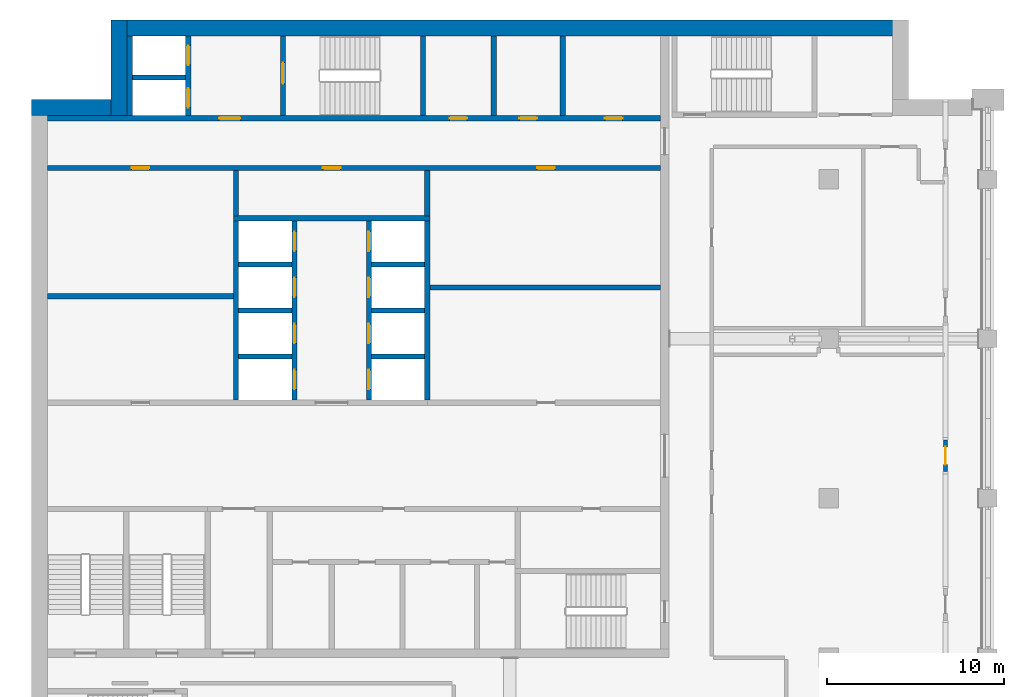
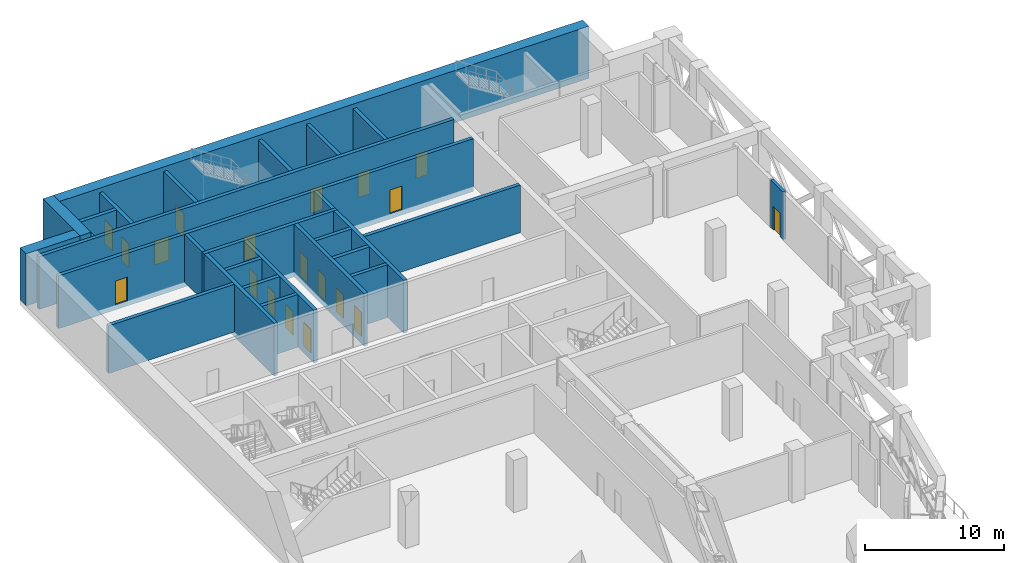
# One storey, part 8 of 16: 28 walls, 19 doors, 19 openings.
"""IFC4 building model written with IfcOpenShell, lengths in metres."""

import ifcopenshell
import ifcopenshell.guid

model = None  # the IFC model being written
_history = None  # IfcOwnerHistory: only IFC2X3 demands one
_inside = {}  # id of a spatial element -> (the spatial element, [elements in it])
_under = {}  # id of a project, library or spatial element -> (it, [spatial elements below it])
_declared = {}  # id of a project -> (the project, [libraries it declares])
_typed = {}  # id of a type object -> (the type object, [elements of that type])
_made_of = {}  # id of a material, layer set ... -> (it, [elements and type objects made of it])


def new_model(schema):
    """Start an empty IFC model of exactly this schema.

    Asked for "IFC4X3", IfcOpenShell would pick the latest addendum, in which some entities
    have other attributes; the version numbers below select the first issue.
    IFC2X3 requires an IfcOwnerHistory on every rooted entity: one is made here for all.
    """
    global model, _history
    if schema == "IFC4X3":
        model = ifcopenshell.file(schema_version=(4, 3, 0, 0))
    else:
        model = ifcopenshell.file(schema=schema)
    _inside.clear()
    _under.clear()
    _declared.clear()
    _typed.clear()
    _made_of.clear()
    _history = None
    if model.schema == "IFC2X3":
        org = make("IfcOrganization", Name="unknown")
        user = make(
            "IfcPersonAndOrganization",
            ThePerson=make("IfcPerson", FamilyName="unknown"),
            TheOrganization=org,
        )
        app = make(
            "IfcApplication",
            ApplicationDeveloper=org,
            Version="unknown",
            ApplicationFullName="unknown",
            ApplicationIdentifier="unknown",
        )
        _history = make(
            "IfcOwnerHistory",
            OwningUser=user,
            OwningApplication=app,
            ChangeAction="ADDED",
            CreationDate=0,
        )
    return model


def make(cls, **values):
    """One entity of the class cls with the attributes given. An attribute that is None is left unset."""
    return model.create_entity(
        cls, **{name: value for name, value in values.items() if value is not None}
    )


def rooted(cls, **values):
    """An entity with a GlobalId (a new one), such as an element, a storey or a relation."""
    return make(cls, GlobalId=ifcopenshell.guid.new(), OwnerHistory=_history, **values)


def si_unit(unit_type, name, prefix=None):
    """IfcSIUnit, for example si_unit("LENGTHUNIT", "METRE", prefix="MILLI")."""
    return make("IfcSIUnit", UnitType=unit_type, Prefix=prefix, Name=name)


def assignment(units):
    """IfcUnitAssignment: the units of a project."""
    return None if units is None else make("IfcUnitAssignment", Units=units)


def point(xyz):
    """IfcCartesianPoint."""
    return None if xyz is None else make("IfcCartesianPoint", Coordinates=xyz)


def direction(xyz):
    """IfcDirection."""
    return None if xyz is None else make("IfcDirection", DirectionRatios=xyz)


def frame(location, z_axis=None, x_axis=None):
    """IfcAxis2Placement3D, a coordinate frame: its origin and axes. An axis left out is left unset."""
    return make(
        "IfcAxis2Placement3D",
        Location=point(location),
        Axis=direction(z_axis),
        RefDirection=direction(x_axis),
    )


def frame_2d(location, x_axis=None):
    """IfcAxis2Placement2D, a coordinate frame in the plane: its origin and x axis."""
    return make(
        "IfcAxis2Placement2D", Location=point(location), RefDirection=direction(x_axis)
    )


def origin():
    """The frame at (0, 0, 0) with its axes left unset."""
    return frame((0.0, 0.0, 0.0))


def place(relative_to, where):
    """IfcLocalPlacement: puts the frame where relative to a parent placement (None: the world)."""
    return make(
        "IfcLocalPlacement", PlacementRelTo=relative_to, RelativePlacement=where
    )


def context(
    kind, dimensions, precision=None, world=None, true_north=None, identifier=None
):
    """IfcGeometricRepresentationContext, for example the 3D "Model" context."""
    return make(
        "IfcGeometricRepresentationContext",
        ContextIdentifier=identifier,
        ContextType=kind,
        CoordinateSpaceDimension=dimensions,
        Precision=precision,
        WorldCoordinateSystem=world,
        TrueNorth=true_north,
    )


def subcontext(parent, identifier, kind, view, scale=None):
    """IfcGeometricRepresentationSubContext, for example "Body" below "Model"."""
    return make(
        "IfcGeometricRepresentationSubContext",
        ContextIdentifier=identifier,
        ContextType=kind,
        ParentContext=parent,
        TargetScale=scale,
        TargetView=view,
    )


def project(units=None, contexts=None):
    """IfcProject with its units and contexts."""
    return rooted(
        "IfcProject",
        Name="project",
        RepresentationContexts=contexts,
        UnitsInContext=assignment(units),
    )


def spatial(cls, under=None, at=None, **own):
    """A site, building, storey or space (cls), placed at a placement, below another one or the project."""
    s = rooted(cls, ObjectPlacement=at, **own)
    if under is not None:
        _under.setdefault(under.id(), (under, []))[1].append(s)
    return s


def profile(cls, at=None, kind="AREA", **sizes):
    """A parametric profile (cls). Its sizes go by their IFC names, for example OverallWidth=200.0."""
    return make(cls, ProfileType=kind, Position=at, **sizes)


def rectangle(**sizes):
    """IfcRectangleProfileDef."""
    return profile("IfcRectangleProfileDef", **sizes)


def extrude(swept, where, along, depth):
    """IfcExtrudedAreaSolid: the profile swept, set in the frame where, extruded along a direction by depth."""
    return make(
        "IfcExtrudedAreaSolid",
        SweptArea=swept,
        Position=where,
        ExtrudedDirection=direction(along),
        Depth=depth,
    )


def shape(context_of_items, identifier, shape_type, items):
    """IfcShapeRepresentation: the items that make up one representation, for example the "Body"."""
    return make(
        "IfcShapeRepresentation",
        ContextOfItems=context_of_items,
        RepresentationIdentifier=identifier,
        RepresentationType=shape_type,
        Items=items,
    )


def material(Name=None, Category=None):
    """IfcMaterial."""
    return make("IfcMaterial", Name=Name, Category=Category)


def layer(
    of_material, thickness, ventilated=None, Name=None, Category=None, Priority=None
):
    """IfcMaterialLayer: one layer of a wall or slab, of a material (None: an air gap)."""
    return make(
        "IfcMaterialLayer",
        Material=of_material,
        LayerThickness=thickness,
        IsVentilated=ventilated,
        Name=Name,
        Category=Category,
        Priority=Priority,
    )


def layer_set(layers, Name=None):
    """IfcMaterialLayerSet."""
    return make("IfcMaterialLayerSet", MaterialLayers=layers, LayerSetName=Name)


def made_of(thing, what):
    """Note that an element or type object is made of a material, layer set ...; save() writes the relation."""
    if what is not None:
        _made_of.setdefault(what.id(), (what, []))[1].append(thing)
    return thing


def type_object(cls, material=None, **own):
    """A type object (cls), such as IfcWallType, which elements share."""
    return made_of(rooted(cls, **own), material)


def element(
    cls,
    number,
    at=None,
    inside=None,
    cuts=None,
    type_object=None,
    material=None,
    context=None,
    identifier="Body",
    shape_type=None,
    held_by="IfcProductDefinitionShape",
    body=None,
    shapes=None,
    **own,
):
    """One element of the class cls, such as IfcWall. Its Tag is "e" and its number.

    at: its placement. inside: the storey or other place that contains it. cuts: it is an
    opening in that element (IfcRelVoidsElement). A single representation is given by context,
    identifier, shape_type and body (its items); several are given by shapes. held_by: the class
    of the entity that holds the representations. save() writes the other relations.
    """
    e = rooted(cls, Tag="e%d" % number, ObjectPlacement=at, **own)
    if body is not None:
        shapes = [shape(context, identifier, shape_type, body)]
    if shapes is not None:
        e.Representation = make(held_by, Representations=shapes)
    if inside is not None:
        _inside.setdefault(inside.id(), (inside, []))[1].append(e)
    if cuts is not None:
        rooted(
            "IfcRelVoidsElement", RelatingBuildingElement=cuts, RelatedOpeningElement=e
        )
    if type_object is not None:
        _typed.setdefault(type_object.id(), (type_object, []))[1].append(e)
    return made_of(e, material)


def fill(opening, filler):
    """IfcRelFillsElement: the door or window that sits in an opening."""
    return rooted(
        "IfcRelFillsElement",
        RelatingOpeningElement=opening,
        RelatedBuildingElement=filler,
    )


def aggregate(whole, parts):
    """IfcRelAggregates: a whole, such as a stair, and the parts it consists of."""
    return rooted("IfcRelAggregates", RelatingObject=whole, RelatedObjects=parts)


def save(model, path):
    """Write the relations noted so far, then the file.

    IfcRelAggregates (storeys below a building ...), IfcRelContainedInSpatialStructure (elements
    in a storey), IfcRelDefinesByType, IfcRelAssociatesMaterial and IfcRelDeclares: one each for
    every whole, place, type object, material and project.
    """
    for whole, parts in _under.values():
        aggregate(whole, parts)
    for where, things in _inside.values():
        rooted(
            "IfcRelContainedInSpatialStructure",
            RelatedElements=things,
            RelatingStructure=where,
        )
    for kind, things in _typed.values():
        rooted("IfcRelDefinesByType", RelatedObjects=things, RelatingType=kind)
    for what, things in _made_of.values():
        rooted("IfcRelAssociatesMaterial", RelatedObjects=things, RelatingMaterial=what)
    for by, libraries in _declared.values():
        rooted("IfcRelDeclares", RelatingContext=by, RelatedDefinitions=libraries)
    model.write(path)


model = new_model("IFC4")

# Units and contexts
model_context = context("Model", 3, precision=1e-05, world=origin(), true_north=direction((0.0, 1.0)))
body_context = subcontext(model_context, "Body", "Model", "MODEL_VIEW")
ifc_project = project(units=[si_unit("LENGTHUNIT", "METRE"), si_unit("AREAUNIT", "SQUARE_METRE"), si_unit("VOLUMEUNIT", "CUBIC_METRE"), si_unit("PLANEANGLEUNIT", "RADIAN"), si_unit("MASSUNIT", "GRAM", prefix="KILO")], contexts=[model_context])

# Site, building, storey
site_placement = place(None, origin())
site = spatial("IfcSite", under=ifc_project, at=site_placement, CompositionType="ELEMENT")
building_placement = place(site_placement, origin())
building = spatial("IfcBuilding", under=site, at=building_placement, Name="Hunhe Ridgeline Campus", CompositionType="ELEMENT")
storey_placement = place(building_placement, frame((0.0, 0.0, 227.199951171875)))
storey = spatial("IfcBuildingStorey", under=building, at=storey_placement, Name="L58", CompositionType="ELEMENT", Elevation=227.199951171875)

# Walls
ifc_material_1 = material(Name="Masonry concrete blockwork", Category="masonry")
ifc_layer_1 = layer(ifc_material_1, 0.300048828125)
ifc_layer_set_1 = layer_set([ifc_layer_1], Name="Core room partition 300 concrete block")
wall_type_1 = type_object("IfcWallType", Name="Core room partition 300 concrete block", PredefinedType="PARTITIONING", material=ifc_layer_set_1)
wall_1_placement = place(storey_placement, frame((0.89990234375, 83.39990234375, 0.0), z_axis=(0.0, 0.0, 1.0), x_axis=(1.0, 0.0, 0.0)))
element("IfcWall", 1, at=wall_1_placement, inside=storey, type_object=wall_type_1, Name="L58 core partition 17", PredefinedType="PARTITIONING", context=body_context, shape_type="SweptSolid", body=[
    extrude(rectangle(XDim=10.5, YDim=0.300048828125, at=frame_2d((5.25, 0.0))), origin(), (0.0, 0.0, 1.0), 4.199951171875),
])
wall_2_placement = place(storey_placement, frame((22.5, 83.89990234375, 0.0), z_axis=(0.0, 0.0, 1.0), x_axis=(1.0, 0.0, 0.0)))
element("IfcWall", 2, at=wall_2_placement, inside=storey, type_object=wall_type_1, Name="L58 core partition 18", PredefinedType="PARTITIONING", context=body_context, shape_type="SweptSolid", body=[
    extrude(rectangle(XDim=13.0, YDim=0.300048828125, at=frame_2d((6.5, 0.0))), origin(), (0.0, 0.0, 1.0), 4.199951171875),
])
for number, where, z_axis, x_axis, name in (
    (3, (11.550048828125, 87.949951171875, 0.0), (0.0, 0.0, 1.0), (0.0, 1.0, 0.0), "L58 core partition 32"),
    (4, (22.35009765625, 87.949951171875, 0.0), (0.0, 0.0, 1.0), (0.0, 1.0, 0.0), "L58 core partition 42"),
):
    element("IfcWall", number, at=place(storey_placement, frame(where, z_axis=z_axis, x_axis=x_axis)), inside=storey, type_object=wall_type_1, Name=name, PredefinedType="PARTITIONING", context=body_context, shape_type="SweptSolid", body=[
        extrude(rectangle(XDim=2.550048828125, YDim=0.300048828125, at=frame_2d((1.27490234375, 0.0))), origin(), (0.0, 0.0, 1.0), 4.199951171875),
    ])
for number, where, z_axis, x_axis, name in (
    (5, (26.10009765625, 93.60009765625, 0.0), (0.0, 0.0, 1.0), (0.0, 1.0, 0.0), "L58 core partition 45"),
    (6, (30.0, 93.60009765625, 0.0), (0.0, 0.0, 1.0), (0.0, 1.0, 0.0), "L58 core partition 48"),
):
    element("IfcWall", number, at=place(storey_placement, frame(where, z_axis=z_axis, x_axis=x_axis)), inside=storey, type_object=wall_type_1, Name=name, PredefinedType="PARTITIONING", context=body_context, shape_type="SweptSolid", body=[
        extrude(rectangle(XDim=4.5, YDim=0.300048828125, at=frame_2d((2.25, 0.0))), origin(), (0.0, 0.0, 1.0), 4.199951171875),
    ])

# Wall, openings, doors
ifc_material_2 = material(Name="Concrete C50", Category="concrete")
ifc_layer_2 = layer(ifc_material_2, 0.300048828125)
ifc_layer_set_2 = layer_set([ifc_layer_2], Name="Lobby wall 300 reinforced concrete C50")
wall_type_2 = type_object("IfcWallType", Name="Lobby wall 300 reinforced concrete C50", PredefinedType="SOLIDWALL", material=ifc_layer_set_2)
wall_3_placement = place(storey_placement, frame((0.89990234375, 90.64990234375, -0.449951171875), z_axis=(0.0, 0.0, 1.0), x_axis=(1.0, 0.0, 0.0)))
wall_3 = element("IfcWall", 7, at=wall_3_placement, inside=storey, type_object=wall_type_2, Name="L58 core wall 22", PredefinedType="SOLIDWALL", context=body_context, shape_type="SweptSolid", body=[
    extrude(rectangle(XDim=34.60009765625, YDim=0.300048828125, at=frame_2d((17.300048828125, 0.0))), origin(), (0.0, 0.0, 1.0), 4.64990234375),
])
opening_1_placement = place(wall_3_placement, frame((15.550048828125, 0.0, 0.449951171875)))
opening_1 = element("IfcOpeningElement", 8, at=opening_1_placement, cuts=wall_3, Name="Opening CD26", PredefinedType="OPENING", context=body_context, shape_type="SweptSolid", body=[
    extrude(rectangle(XDim=1.0, YDim=2.10009765625, at=frame_2d((0.5, 1.050048828125))), frame((0.0, 0.14990234375, 0.0), z_axis=(0.0, -1.0, 0.0), x_axis=(1.0, 0.0, 0.0)), (0.0, 0.0, 1.0), 0.300048828125),
])
opening_2_placement = place(wall_3_placement, frame((4.75, 0.0, 0.449951171875)))
opening_2 = element("IfcOpeningElement", 9, at=opening_2_placement, cuts=wall_3, Name="Opening CD40", PredefinedType="OPENING", context=body_context, shape_type="SweptSolid", body=[
    extrude(rectangle(XDim=1.0, YDim=2.10009765625, at=frame_2d((0.5, 1.050048828125))), frame((0.0, 0.14990234375, 0.0), z_axis=(0.0, -1.0, 0.0), x_axis=(1.0, 0.0, 0.0)), (0.0, 0.0, 1.0), 0.300048828125),
])
opening_3_placement = place(wall_3_placement, frame((27.64990234375, 0.0, 0.449951171875)))
opening_3 = element("IfcOpeningElement", 10, at=opening_3_placement, cuts=wall_3, Name="Opening CD33", PredefinedType="OPENING", context=body_context, shape_type="SweptSolid", body=[
    extrude(rectangle(XDim=1.0, YDim=2.10009765625, at=frame_2d((0.5, 1.050048828125))), frame((0.0, 0.14990234375, 0.0), z_axis=(0.0, -1.0, 0.0), x_axis=(1.0, 0.0, 0.0)), (0.0, 0.0, 1.0), 0.300048828125),
])
ifc_material_3 = material(Name="Solid core timber door leaf", Category="wood")
door_type_1 = type_object("IfcDoorType", Name="Timber door 1000x2100", OperationType="SINGLE_SWING_LEFT", PredefinedType="DOOR", material=ifc_material_3)
door_1_placement = place(opening_1_placement, frame((1.0, 0.0, 0.0), z_axis=(0.0, 0.0, 1.0), x_axis=(-1.0, 0.0, 0.0)))
door_1 = element("IfcDoor", 11, at=door_1_placement, inside=storey, type_object=door_type_1, Name="L58 door NR-0", OperationType="SINGLE_SWING_LEFT", OverallHeight=2.10009765625, OverallWidth=1.0, PredefinedType="DOOR", context=body_context, shape_type="SweptSolid", body=[
    extrude(rectangle(XDim=1.0, YDim=2.10009765625, at=frame_2d((0.5, 1.050048828125))), frame((0.0, 0.02490234375, 0.0), z_axis=(0.0, -1.0, 0.0), x_axis=(1.0, 0.0, 0.0)), (0.0, 0.0, 1.0), 0.050048828125),
])
fill(opening_1, door_1)
door_2_placement = place(opening_2_placement, frame((1.0, 0.0, 0.0), z_axis=(0.0, 0.0, 1.0), x_axis=(-1.0, 0.0, 0.0)))
door_2 = element("IfcDoor", 12, at=door_2_placement, inside=storey, type_object=door_type_1, Name="L58 door VD-LR1", OperationType="SINGLE_SWING_LEFT", OverallHeight=2.10009765625, OverallWidth=1.0, PredefinedType="DOOR", context=body_context, shape_type="SweptSolid", body=[
    extrude(rectangle(XDim=1.0, YDim=2.10009765625, at=frame_2d((0.5, 1.050048828125))), frame((0.0, 0.02490234375, 0.0), z_axis=(0.0, -1.0, 0.0), x_axis=(1.0, 0.0, 0.0)), (0.0, 0.0, 1.0), 0.050048828125),
])
fill(opening_2, door_2)
door_3_placement = place(opening_3_placement, frame((1.0, 0.0, 0.0), z_axis=(0.0, 0.0, 1.0), x_axis=(-1.0, 0.0, 0.0)))
door_3 = element("IfcDoor", 13, at=door_3_placement, inside=storey, type_object=door_type_1, Name="L58 door ES1", OperationType="SINGLE_SWING_RIGHT", OverallHeight=2.10009765625, OverallWidth=1.0, PredefinedType="DOOR", context=body_context, shape_type="SweptSolid", body=[
    extrude(rectangle(XDim=1.0, YDim=2.10009765625, at=frame_2d((0.5, 1.050048828125))), frame((0.0, 0.02490234375, 0.0), z_axis=(0.0, -1.0, 0.0), x_axis=(1.0, 0.0, 0.0)), (0.0, 0.0, 1.0), 0.050048828125),
])
fill(opening_3, door_3)

# Wall, opening, door
ifc_material_4 = material(Name="Concrete C30", Category="concrete")
ifc_layer_3 = layer(ifc_material_4, 0.25)
ifc_layer_set_3 = layer_set([ifc_layer_3], Name="Loggia door pier wall 250 Concrete C30")
wall_type_3 = type_object("IfcWallType", Name="Loggia door pier wall 250 Concrete C30", PredefinedType="SOLIDWALL", material=ifc_layer_set_3)
wall_4_placement = place(storey_placement, frame((51.59912109375, 73.500732421875, 0.0), z_axis=(0.0, 0.0, 1.0), x_axis=(0.0, 1.0, 0.0)))
wall_4 = element("IfcWall", 14, at=wall_4_placement, inside=storey, type_object=wall_type_3, Name="Loggia door pier 11", PredefinedType="SOLIDWALL", context=body_context, shape_type="SweptSolid", body=[
    extrude(rectangle(XDim=1.7998046875, YDim=0.25, at=frame_2d((0.89990234375, 0.0))), origin(), (0.0, 0.0, 1.0), 4.199951171875),
])
opening_4_placement = place(wall_4_placement, frame((0.39990234375, 0.0, 0.0)))
opening_4 = element("IfcOpeningElement", 15, at=opening_4_placement, cuts=wall_4, Name="Opening BR511", PredefinedType="OPENING", context=body_context, shape_type="SweptSolid", body=[
    extrude(rectangle(XDim=1.0, YDim=2.10009765625, at=frame_2d((0.5, 1.050048828125))), frame((0.0, 0.125, 0.0), z_axis=(0.0, -1.0, 0.0), x_axis=(1.0, 0.0, 0.0)), (0.0, 0.0, 1.0), 0.25),
])
ifc_material_5 = material(Name="Aluminium 6063", Category="aluminium")
door_type_2 = type_object("IfcDoorType", Name="Loggia glazed door 1000x2100", OperationType="NOTDEFINED", PredefinedType="DOOR", material=ifc_material_5)
door_4_placement = place(opening_4_placement, frame((1.0, 0.0, 0.0), z_axis=(0.0, 0.0, 1.0), x_axis=(-1.0, 0.0, 0.0)))
door_4 = element("IfcDoor", 16, at=door_4_placement, inside=storey, type_object=door_type_2, Name="Loggia door BR511", OperationType="SINGLE_SWING_RIGHT", OverallHeight=2.10009765625, OverallWidth=1.0, PredefinedType="DOOR", context=body_context, shape_type="SweptSolid", body=[
    extrude(rectangle(XDim=1.0, YDim=2.10009765625, at=frame_2d((0.5, 1.050048828125))), frame((0.0, 0.02490234375, 0.0), z_axis=(0.0, -1.0, 0.0), x_axis=(1.0, 0.0, 0.0)), (0.0, 0.0, 1.0), 0.050048828125),
])
fill(opening_4, door_4)

# Walls
ifc_layer_4 = layer(ifc_material_2, 0.300048828125)
ifc_layer_set_4 = layer_set([ifc_layer_4], Name="Shaft wall 300 reinforced concrete C50")
wall_type_4 = type_object("IfcWallType", Name="Shaft wall 300 reinforced concrete C50", PredefinedType="SOLIDWALL", material=ifc_layer_set_4)
for number, where, z_axis, x_axis, name in (
    (17, (11.699951171875, 80.0, -0.449951171875), (0.0, 0.0, 1.0), (1.0, 0.0, 0.0), "L58 core wall 13"),
    (18, (19.199951171875, 80.0, -0.449951171875), (0.0, 0.0, 1.0), (1.0, 0.0, 0.0), "L58 core wall 14"),
    (19, (11.699951171875, 82.60009765625, -0.449951171875), (0.0, 0.0, 1.0), (1.0, 0.0, 0.0), "L58 core wall 15"),
    (20, (19.199951171875, 82.60009765625, -0.449951171875), (0.0, 0.0, 1.0), (1.0, 0.0, 0.0), "L58 core wall 16"),
    (21, (11.699951171875, 85.199951171875, -0.449951171875), (0.0, 0.0, 1.0), (1.0, 0.0, 0.0), "L58 core wall 19"),
    (22, (19.199951171875, 85.199951171875, -0.449951171875), (0.0, 0.0, 1.0), (1.0, 0.0, 0.0), "L58 core wall 20"),
):
    element("IfcWall", number, at=place(storey_placement, frame(where, z_axis=z_axis, x_axis=x_axis)), inside=storey, type_object=wall_type_4, Name=name, PredefinedType="SOLIDWALL", context=body_context, shape_type="SweptSolid", body=[
        extrude(rectangle(XDim=3.0, YDim=0.300048828125, at=frame_2d((1.5, 0.0))), origin(), (0.0, 0.0, 1.0), 4.64990234375),
    ])
wall_5_placement = place(storey_placement, frame((11.39990234375, 87.800048828125, -0.449951171875), z_axis=(0.0, 0.0, 1.0), x_axis=(1.0, 0.0, 0.0)))
element("IfcWall", 23, at=wall_5_placement, inside=storey, type_object=wall_type_4, Name="L58 core wall 21", PredefinedType="SOLIDWALL", context=body_context, shape_type="SweptSolid", body=[
    extrude(rectangle(XDim=11.10009765625, YDim=0.300048828125, at=frame_2d((5.550048828125, 0.0))), origin(), (0.0, 0.0, 1.0), 4.64990234375),
])

# Wall, openings, doors
wall_6_placement = place(storey_placement, frame((0.89990234375, 93.449951171875, -0.449951171875), z_axis=(0.0, 0.0, 1.0), x_axis=(1.0, 0.0, 0.0)))
wall_6 = element("IfcWall", 24, at=wall_6_placement, inside=storey, type_object=wall_type_4, Name="L58 core wall 23", PredefinedType="SOLIDWALL", context=body_context, shape_type="SweptSolid", body=[
    extrude(rectangle(XDim=34.60009765625, YDim=0.300048828125, at=frame_2d((17.300048828125, 0.0))), origin(), (0.0, 0.0, 1.0), 4.64990234375),
])
opening_5_placement = place(wall_6_placement, frame((9.699951171875, 0.0, 0.449951171875)))
opening_5 = element("IfcOpeningElement", 25, at=opening_5_placement, cuts=wall_6, Name="Opening CD3", PredefinedType="OPENING", context=body_context, shape_type="SweptSolid", body=[
    extrude(rectangle(XDim=1.199951171875, YDim=2.10009765625, at=frame_2d((0.60009765625, 1.050048828125))), frame((0.0, 0.14990234375, 0.0), z_axis=(0.0, -1.0, 0.0), x_axis=(1.0, 0.0, 0.0)), (0.0, 0.0, 1.0), 0.300048828125),
])
opening_6_placement = place(wall_6_placement, frame((22.699951171875, 0.0, 0.449951171875)))
opening_6 = element("IfcOpeningElement", 26, at=opening_6_placement, cuts=wall_6, Name="Opening CD34", PredefinedType="OPENING", context=body_context, shape_type="SweptSolid", body=[
    extrude(rectangle(XDim=1.0, YDim=2.10009765625, at=frame_2d((0.5, 1.050048828125))), frame((0.0, 0.14990234375, 0.0), z_axis=(0.0, -1.0, 0.0), x_axis=(1.0, 0.0, 0.0)), (0.0, 0.0, 1.0), 0.300048828125),
])
opening_7_placement = place(wall_6_placement, frame((26.64990234375, 0.0, 0.449951171875)))
opening_7 = element("IfcOpeningElement", 27, at=opening_7_placement, cuts=wall_6, Name="Opening CD35", PredefinedType="OPENING", context=body_context, shape_type="SweptSolid", body=[
    extrude(rectangle(XDim=1.0, YDim=2.10009765625, at=frame_2d((0.5, 1.050048828125))), frame((0.0, 0.14990234375, 0.0), z_axis=(0.0, -1.0, 0.0), x_axis=(1.0, 0.0, 0.0)), (0.0, 0.0, 1.0), 0.300048828125),
])
opening_8_placement = place(wall_6_placement, frame((31.47509765625, 0.0, 0.449951171875)))
opening_8 = element("IfcOpeningElement", 28, at=opening_8_placement, cuts=wall_6, Name="Opening CD36", PredefinedType="OPENING", context=body_context, shape_type="SweptSolid", body=[
    extrude(rectangle(XDim=1.0, YDim=2.10009765625, at=frame_2d((0.5, 1.050048828125))), frame((0.0, 0.14990234375, 0.0), z_axis=(0.0, -1.0, 0.0), x_axis=(1.0, 0.0, 0.0)), (0.0, 0.0, 1.0), 0.300048828125),
])
ifc_material_6 = material(Name="Hollow metal fire door leaf")
door_type_3 = type_object("IfcDoorType", Name="Lobby door 1200x2100 FD60", OperationType="SINGLE_SWING_LEFT", PredefinedType="DOOR", material=ifc_material_6)
door_5_placement = place(opening_5_placement, frame((1.199951171875, 0.0, 0.0), z_axis=(0.0, 0.0, 1.0), x_axis=(-1.0, 0.0, 0.0)))
door_5 = element("IfcDoor", 29, at=door_5_placement, inside=storey, type_object=door_type_3, Name="L58 door FF-C1", OperationType="SINGLE_SWING_RIGHT", OverallHeight=2.10009765625, OverallWidth=1.199951171875, PredefinedType="DOOR", context=body_context, shape_type="SweptSolid", body=[
    extrude(rectangle(XDim=1.199951171875, YDim=2.10009765625, at=frame_2d((0.60009765625, 1.050048828125))), frame((0.0, 0.02490234375, 0.0), z_axis=(0.0, -1.0, 0.0), x_axis=(1.0, 0.0, 0.0)), (0.0, 0.0, 1.0), 0.050048828125),
])
fill(opening_5, door_5)
door_6_placement = place(opening_6_placement, origin())
door_6 = element("IfcDoor", 30, at=door_6_placement, inside=storey, type_object=door_type_1, Name="L58 door NB0", OperationType="SINGLE_SWING_RIGHT", OverallHeight=2.10009765625, OverallWidth=1.0, PredefinedType="DOOR", context=body_context, shape_type="SweptSolid", body=[
    extrude(rectangle(XDim=1.0, YDim=2.10009765625, at=frame_2d((0.5, 1.050048828125))), frame((0.0, 0.02490234375, 0.0), z_axis=(0.0, -1.0, 0.0), x_axis=(1.0, 0.0, 0.0)), (0.0, 0.0, 1.0), 0.050048828125),
])
fill(opening_6, door_6)
door_7_placement = place(opening_7_placement, origin())
door_7 = element("IfcDoor", 31, at=door_7_placement, inside=storey, type_object=door_type_1, Name="L58 door NB1", OperationType="SINGLE_SWING_LEFT", OverallHeight=2.10009765625, OverallWidth=1.0, PredefinedType="DOOR", context=body_context, shape_type="SweptSolid", body=[
    extrude(rectangle(XDim=1.0, YDim=2.10009765625, at=frame_2d((0.5, 1.050048828125))), frame((0.0, 0.02490234375, 0.0), z_axis=(0.0, -1.0, 0.0), x_axis=(1.0, 0.0, 0.0)), (0.0, 0.0, 1.0), 0.050048828125),
])
fill(opening_7, door_7)
door_8_placement = place(opening_8_placement, origin())
door_8 = element("IfcDoor", 32, at=door_8_placement, inside=storey, type_object=door_type_1, Name="L58 door NB2", OperationType="SINGLE_SWING_RIGHT", OverallHeight=2.10009765625, OverallWidth=1.0, PredefinedType="DOOR", context=body_context, shape_type="SweptSolid", body=[
    extrude(rectangle(XDim=1.0, YDim=2.10009765625, at=frame_2d((0.5, 1.050048828125))), frame((0.0, 0.02490234375, 0.0), z_axis=(0.0, -1.0, 0.0), x_axis=(1.0, 0.0, 0.0)), (0.0, 0.0, 1.0), 0.050048828125),
])
fill(opening_8, door_8)

# Walls
wall_7_placement = place(storey_placement, frame((5.699951171875, 95.75, -0.449951171875), z_axis=(0.0, 0.0, 1.0), x_axis=(1.0, 0.0, 0.0)))
element("IfcWall", 33, at=wall_7_placement, inside=storey, type_object=wall_type_4, Name="L58 core wall 25", PredefinedType="SOLIDWALL", context=body_context, shape_type="SweptSolid", body=[
    extrude(rectangle(XDim=3.0, YDim=0.300048828125, at=frame_2d((1.5, 0.0))), origin(), (0.0, 0.0, 1.0), 4.64990234375),
])
wall_8_placement = place(storey_placement, frame((5.550048828125, 93.60009765625, -0.449951171875), z_axis=(0.0, 0.0, 1.0), x_axis=(0.0, 1.0, 0.0)))
element("IfcWall", 34, at=wall_8_placement, inside=storey, type_object=wall_type_4, Name="L58 core wall 27", PredefinedType="SOLIDWALL", context=body_context, shape_type="SweptSolid", body=[
    extrude(rectangle(XDim=4.5, YDim=0.300048828125, at=frame_2d((2.25, 0.0))), origin(), (0.0, 0.0, 1.0), 4.64990234375),
])

# Wall, openings, doors
wall_9_placement = place(storey_placement, frame((8.85009765625, 93.60009765625, -0.449951171875), z_axis=(0.0, 0.0, 1.0), x_axis=(0.0, 1.0, 0.0)))
wall_9 = element("IfcWall", 35, at=wall_9_placement, inside=storey, type_object=wall_type_4, Name="L58 core wall 29", PredefinedType="SOLIDWALL", context=body_context, shape_type="SweptSolid", body=[
    extrude(rectangle(XDim=4.5, YDim=0.300048828125, at=frame_2d((2.25, 0.0))), origin(), (0.0, 0.0, 1.0), 4.64990234375),
])
opening_9_placement = place(wall_9_placement, frame((0.449951171875, 0.0, 0.449951171875)))
opening_9 = element("IfcOpeningElement", 36, at=opening_9_placement, cuts=wall_9, Name="Opening LD-FF1", PredefinedType="OPENING", context=body_context, shape_type="SweptSolid", body=[
    extrude(rectangle(XDim=1.10009765625, YDim=2.10009765625, at=frame_2d((0.550048828125, 1.050048828125))), frame((0.0, 0.14990234375, 0.0), z_axis=(0.0, -1.0, 0.0), x_axis=(1.0, 0.0, 0.0)), (0.0, 0.0, 1.0), 0.300048828125),
])
opening_10_placement = place(wall_9_placement, frame((2.85009765625, 0.0, 0.449951171875)))
opening_10 = element("IfcOpeningElement", 37, at=opening_10_placement, cuts=wall_9, Name="Opening LD-FF2", PredefinedType="OPENING", context=body_context, shape_type="SweptSolid", body=[
    extrude(rectangle(XDim=1.10009765625, YDim=2.10009765625, at=frame_2d((0.550048828125, 1.050048828125))), frame((0.0, 0.14990234375, 0.0), z_axis=(0.0, -1.0, 0.0), x_axis=(1.0, 0.0, 0.0)), (0.0, 0.0, 1.0), 0.300048828125),
])
ifc_material_7 = material(Name="Stainless steel sliding leaves", Category="steel")
door_type_4 = type_object("IfcDoorType", Name="Landing door 1100x2100 FD120", OperationType="SLIDING_TO_LEFT", PredefinedType="DOOR", material=ifc_material_7)
door_9_placement = place(opening_9_placement, origin())
door_9 = element("IfcDoor", 38, at=door_9_placement, inside=storey, type_object=door_type_4, Name="L58 landing door FF1", OperationType="SLIDING_TO_RIGHT", OverallHeight=2.10009765625, OverallWidth=1.10009765625, PredefinedType="DOOR", context=body_context, shape_type="SweptSolid", body=[
    extrude(rectangle(XDim=1.10009765625, YDim=2.10009765625, at=frame_2d((0.550048828125, 1.050048828125))), frame((0.0, 0.02490234375, 0.0), z_axis=(0.0, -1.0, 0.0), x_axis=(1.0, 0.0, 0.0)), (0.0, 0.0, 1.0), 0.050048828125),
])
fill(opening_9, door_9)
door_10_placement = place(opening_10_placement, origin())
door_10 = element("IfcDoor", 39, at=door_10_placement, inside=storey, type_object=door_type_4, Name="L58 landing door FF2", OperationType="SLIDING_TO_LEFT", OverallHeight=2.10009765625, OverallWidth=1.10009765625, PredefinedType="DOOR", context=body_context, shape_type="SweptSolid", body=[
    extrude(rectangle(XDim=1.10009765625, YDim=2.10009765625, at=frame_2d((0.550048828125, 1.050048828125))), frame((0.0, 0.02490234375, 0.0), z_axis=(0.0, -1.0, 0.0), x_axis=(1.0, 0.0, 0.0)), (0.0, 0.0, 1.0), 0.050048828125),
])
fill(opening_10, door_10)

# Wall
wall_10_placement = place(storey_placement, frame((11.550048828125, 77.550048828125, -0.449951171875), z_axis=(0.0, 0.0, 1.0), x_axis=(0.0, 1.0, 0.0)))
element("IfcWall", 40, at=wall_10_placement, inside=storey, type_object=wall_type_4, Name="L58 core wall 31", PredefinedType="SOLIDWALL", context=body_context, shape_type="SweptSolid", body=[
    extrude(rectangle(XDim=10.099853515625, YDim=0.300048828125, at=frame_2d((5.0498046875, 0.0))), origin(), (0.0, 0.0, 1.0), 4.64990234375),
])

# Wall, openings, doors
wall_11_placement = place(storey_placement, frame((14.85009765625, 77.550048828125, -0.449951171875), z_axis=(0.0, 0.0, 1.0), x_axis=(0.0, 1.0, 0.0)))
wall_11 = element("IfcWall", 41, at=wall_11_placement, inside=storey, type_object=wall_type_4, Name="L58 core wall 35", PredefinedType="SOLIDWALL", context=body_context, shape_type="SweptSolid", body=[
    extrude(rectangle(XDim=10.099853515625, YDim=0.300048828125, at=frame_2d((5.0498046875, 0.0))), origin(), (0.0, 0.0, 1.0), 4.64990234375),
])
opening_11_placement = place(wall_11_placement, frame((0.60009765625, 0.0, 0.449951171875)))
opening_11 = element("IfcOpeningElement", 42, at=opening_11_placement, cuts=wall_11, Name="Opening LD-HR1", PredefinedType="OPENING", context=body_context, shape_type="SweptSolid", body=[
    extrude(rectangle(XDim=1.10009765625, YDim=2.10009765625, at=frame_2d((0.550048828125, 1.050048828125))), frame((0.0, 0.14990234375, 0.0), z_axis=(0.0, -1.0, 0.0), x_axis=(1.0, 0.0, 0.0)), (0.0, 0.0, 1.0), 0.300048828125),
])
opening_12_placement = place(wall_11_placement, frame((3.199951171875, 0.0, 0.449951171875)))
opening_12 = element("IfcOpeningElement", 43, at=opening_12_placement, cuts=wall_11, Name="Opening LD-HR2", PredefinedType="OPENING", context=body_context, shape_type="SweptSolid", body=[
    extrude(rectangle(XDim=1.10009765625, YDim=2.10009765625, at=frame_2d((0.550048828125, 1.050048828125))), frame((0.0, 0.14990234375, 0.0), z_axis=(0.0, -1.0, 0.0), x_axis=(1.0, 0.0, 0.0)), (0.0, 0.0, 1.0), 0.300048828125),
])
opening_13_placement = place(wall_11_placement, frame((5.800048828125, 0.0, 0.449951171875)))
opening_13 = element("IfcOpeningElement", 44, at=opening_13_placement, cuts=wall_11, Name="Opening LD-HR3", PredefinedType="OPENING", context=body_context, shape_type="SweptSolid", body=[
    extrude(rectangle(XDim=1.10009765625, YDim=2.10009765625, at=frame_2d((0.550048828125, 1.050048828125))), frame((0.0, 0.14990234375, 0.0), z_axis=(0.0, -1.0, 0.0), x_axis=(1.0, 0.0, 0.0)), (0.0, 0.0, 1.0), 0.300048828125),
])
opening_14_placement = place(wall_11_placement, frame((8.39990234375, 0.0, 0.449951171875)))
opening_14 = element("IfcOpeningElement", 45, at=opening_14_placement, cuts=wall_11, Name="Opening LD-HR4", PredefinedType="OPENING", context=body_context, shape_type="SweptSolid", body=[
    extrude(rectangle(XDim=1.10009765625, YDim=2.10009765625, at=frame_2d((0.550048828125, 1.050048828125))), frame((0.0, 0.14990234375, 0.0), z_axis=(0.0, -1.0, 0.0), x_axis=(1.0, 0.0, 0.0)), (0.0, 0.0, 1.0), 0.300048828125),
])
door_11_placement = place(opening_11_placement, origin())
door_11 = element("IfcDoor", 46, at=door_11_placement, inside=storey, type_object=door_type_4, Name="L58 landing door HR1", OperationType="SLIDING_TO_RIGHT", OverallHeight=2.10009765625, OverallWidth=1.10009765625, PredefinedType="DOOR", context=body_context, shape_type="SweptSolid", body=[
    extrude(rectangle(XDim=1.10009765625, YDim=2.10009765625, at=frame_2d((0.550048828125, 1.050048828125))), frame((0.0, 0.02490234375, 0.0), z_axis=(0.0, -1.0, 0.0), x_axis=(1.0, 0.0, 0.0)), (0.0, 0.0, 1.0), 0.050048828125),
])
fill(opening_11, door_11)
door_12_placement = place(opening_12_placement, origin())
door_12 = element("IfcDoor", 47, at=door_12_placement, inside=storey, type_object=door_type_4, Name="L58 landing door HR2", OperationType="SLIDING_TO_LEFT", OverallHeight=2.10009765625, OverallWidth=1.10009765625, PredefinedType="DOOR", context=body_context, shape_type="SweptSolid", body=[
    extrude(rectangle(XDim=1.10009765625, YDim=2.10009765625, at=frame_2d((0.550048828125, 1.050048828125))), frame((0.0, 0.02490234375, 0.0), z_axis=(0.0, -1.0, 0.0), x_axis=(1.0, 0.0, 0.0)), (0.0, 0.0, 1.0), 0.050048828125),
])
fill(opening_12, door_12)
door_13_placement = place(opening_13_placement, origin())
door_13 = element("IfcDoor", 48, at=door_13_placement, inside=storey, type_object=door_type_4, Name="L58 landing door HR3", OperationType="SLIDING_TO_RIGHT", OverallHeight=2.10009765625, OverallWidth=1.10009765625, PredefinedType="DOOR", context=body_context, shape_type="SweptSolid", body=[
    extrude(rectangle(XDim=1.10009765625, YDim=2.10009765625, at=frame_2d((0.550048828125, 1.050048828125))), frame((0.0, 0.02490234375, 0.0), z_axis=(0.0, -1.0, 0.0), x_axis=(1.0, 0.0, 0.0)), (0.0, 0.0, 1.0), 0.050048828125),
])
fill(opening_13, door_13)
door_14_placement = place(opening_14_placement, origin())
door_14 = element("IfcDoor", 49, at=door_14_placement, inside=storey, type_object=door_type_4, Name="L58 landing door HR4", OperationType="SLIDING_TO_LEFT", OverallHeight=2.10009765625, OverallWidth=1.10009765625, PredefinedType="DOOR", context=body_context, shape_type="SweptSolid", body=[
    extrude(rectangle(XDim=1.10009765625, YDim=2.10009765625, at=frame_2d((0.550048828125, 1.050048828125))), frame((0.0, 0.02490234375, 0.0), z_axis=(0.0, -1.0, 0.0), x_axis=(1.0, 0.0, 0.0)), (0.0, 0.0, 1.0), 0.050048828125),
])
fill(opening_14, door_14)

wall_12_placement = place(storey_placement, frame((19.050048828125, 77.550048828125, -0.449951171875), z_axis=(0.0, 0.0, 1.0), x_axis=(0.0, 1.0, 0.0)))
wall_12 = element("IfcWall", 50, at=wall_12_placement, inside=storey, type_object=wall_type_4, Name="L58 core wall 37", PredefinedType="SOLIDWALL", context=body_context, shape_type="SweptSolid", body=[
    extrude(rectangle(XDim=10.099853515625, YDim=0.300048828125, at=frame_2d((5.0498046875, 0.0))), origin(), (0.0, 0.0, 1.0), 4.64990234375),
])
opening_15_placement = place(wall_12_placement, frame((0.60009765625, 0.0, 0.449951171875)))
opening_15 = element("IfcOpeningElement", 51, at=opening_15_placement, cuts=wall_12, Name="Opening LD-HR5", PredefinedType="OPENING", context=body_context, shape_type="SweptSolid", body=[
    extrude(rectangle(XDim=1.10009765625, YDim=2.10009765625, at=frame_2d((0.550048828125, 1.050048828125))), frame((0.0, 0.14990234375, 0.0), z_axis=(0.0, -1.0, 0.0), x_axis=(1.0, 0.0, 0.0)), (0.0, 0.0, 1.0), 0.300048828125),
])
opening_16_placement = place(wall_12_placement, frame((3.199951171875, 0.0, 0.449951171875)))
opening_16 = element("IfcOpeningElement", 52, at=opening_16_placement, cuts=wall_12, Name="Opening LD-HR6", PredefinedType="OPENING", context=body_context, shape_type="SweptSolid", body=[
    extrude(rectangle(XDim=1.10009765625, YDim=2.10009765625, at=frame_2d((0.550048828125, 1.050048828125))), frame((0.0, 0.14990234375, 0.0), z_axis=(0.0, -1.0, 0.0), x_axis=(1.0, 0.0, 0.0)), (0.0, 0.0, 1.0), 0.300048828125),
])
opening_17_placement = place(wall_12_placement, frame((5.800048828125, 0.0, 0.449951171875)))
opening_17 = element("IfcOpeningElement", 53, at=opening_17_placement, cuts=wall_12, Name="Opening LD-HR7", PredefinedType="OPENING", context=body_context, shape_type="SweptSolid", body=[
    extrude(rectangle(XDim=1.10009765625, YDim=2.10009765625, at=frame_2d((0.550048828125, 1.050048828125))), frame((0.0, 0.14990234375, 0.0), z_axis=(0.0, -1.0, 0.0), x_axis=(1.0, 0.0, 0.0)), (0.0, 0.0, 1.0), 0.300048828125),
])
opening_18_placement = place(wall_12_placement, frame((8.39990234375, 0.0, 0.449951171875)))
opening_18 = element("IfcOpeningElement", 54, at=opening_18_placement, cuts=wall_12, Name="Opening LD-HR8", PredefinedType="OPENING", context=body_context, shape_type="SweptSolid", body=[
    extrude(rectangle(XDim=1.10009765625, YDim=2.10009765625, at=frame_2d((0.550048828125, 1.050048828125))), frame((0.0, 0.14990234375, 0.0), z_axis=(0.0, -1.0, 0.0), x_axis=(1.0, 0.0, 0.0)), (0.0, 0.0, 1.0), 0.300048828125),
])
door_15_placement = place(opening_15_placement, origin())
door_15 = element("IfcDoor", 55, at=door_15_placement, inside=storey, type_object=door_type_4, Name="L58 landing door HR5", OperationType="SLIDING_TO_RIGHT", OverallHeight=2.10009765625, OverallWidth=1.10009765625, PredefinedType="DOOR", context=body_context, shape_type="SweptSolid", body=[
    extrude(rectangle(XDim=1.10009765625, YDim=2.10009765625, at=frame_2d((0.550048828125, 1.050048828125))), frame((0.0, 0.02490234375, 0.0), z_axis=(0.0, -1.0, 0.0), x_axis=(1.0, 0.0, 0.0)), (0.0, 0.0, 1.0), 0.050048828125),
])
fill(opening_15, door_15)
door_16_placement = place(opening_16_placement, origin())
door_16 = element("IfcDoor", 56, at=door_16_placement, inside=storey, type_object=door_type_4, Name="L58 landing door HR6", OperationType="SLIDING_TO_LEFT", OverallHeight=2.10009765625, OverallWidth=1.10009765625, PredefinedType="DOOR", context=body_context, shape_type="SweptSolid", body=[
    extrude(rectangle(XDim=1.10009765625, YDim=2.10009765625, at=frame_2d((0.550048828125, 1.050048828125))), frame((0.0, 0.02490234375, 0.0), z_axis=(0.0, -1.0, 0.0), x_axis=(1.0, 0.0, 0.0)), (0.0, 0.0, 1.0), 0.050048828125),
])
fill(opening_16, door_16)
door_17_placement = place(opening_17_placement, origin())
door_17 = element("IfcDoor", 57, at=door_17_placement, inside=storey, type_object=door_type_4, Name="L58 landing door HR7", OperationType="SLIDING_TO_RIGHT", OverallHeight=2.10009765625, OverallWidth=1.10009765625, PredefinedType="DOOR", context=body_context, shape_type="SweptSolid", body=[
    extrude(rectangle(XDim=1.10009765625, YDim=2.10009765625, at=frame_2d((0.550048828125, 1.050048828125))), frame((0.0, 0.02490234375, 0.0), z_axis=(0.0, -1.0, 0.0), x_axis=(1.0, 0.0, 0.0)), (0.0, 0.0, 1.0), 0.050048828125),
])
fill(opening_17, door_17)
door_18_placement = place(opening_18_placement, origin())
door_18 = element("IfcDoor", 58, at=door_18_placement, inside=storey, type_object=door_type_4, Name="L58 landing door HR8", OperationType="SLIDING_TO_LEFT", OverallHeight=2.10009765625, OverallWidth=1.10009765625, PredefinedType="DOOR", context=body_context, shape_type="SweptSolid", body=[
    extrude(rectangle(XDim=1.10009765625, YDim=2.10009765625, at=frame_2d((0.550048828125, 1.050048828125))), frame((0.0, 0.02490234375, 0.0), z_axis=(0.0, -1.0, 0.0), x_axis=(1.0, 0.0, 0.0)), (0.0, 0.0, 1.0), 0.050048828125),
])
fill(opening_18, door_18)

# Walls
wall_13_placement = place(storey_placement, frame((22.35009765625, 77.550048828125, -0.449951171875), z_axis=(0.0, 0.0, 1.0), x_axis=(0.0, 1.0, 0.0)))
element("IfcWall", 59, at=wall_13_placement, inside=storey, type_object=wall_type_4, Name="L58 core wall 41", PredefinedType="SOLIDWALL", context=body_context, shape_type="SweptSolid", body=[
    extrude(rectangle(XDim=10.099853515625, YDim=0.300048828125, at=frame_2d((5.0498046875, 0.0))), origin(), (0.0, 0.0, 1.0), 4.64990234375),
])
ifc_material_8 = material(Name="Concrete C60", Category="concrete")
ifc_layer_5 = layer(ifc_material_8, 0.89990234375)
ifc_layer_set_5 = layer_set([ifc_layer_5], Name="Spine wall 900 Concrete C60")
wall_type_5 = type_object("IfcWallType", Name="Spine wall 900 Concrete C60", PredefinedType="SHEAR", material=ifc_layer_set_5)
wall_14_placement = place(storey_placement, frame((49.5, 98.550048828125, 0.0), z_axis=(0.0, 0.0, 1.0), x_axis=(-1.0, 0.0, 0.0)))
element("IfcWall", 60, at=wall_14_placement, inside=storey, type_object=wall_type_5, Name="Spine wall SW3-4 L58", PredefinedType="SHEAR", context=body_context, shape_type="SweptSolid", body=[
    extrude(rectangle(XDim=45.0, YDim=0.89990234375, at=frame_2d((22.5, 0.0))), origin(), (0.0, 0.0, 1.0), 4.60009765625),
])
for number, where, z_axis, x_axis, name in (
    (61, (4.949951171875, 99.0, 0.0), (0.0, 0.0, 1.0), (0.0, -1.0, 0.0), "Spine wall SW3-5 L58"),
    (62, (5.400146484375, 94.050048828125, 0.0), (0.0, 0.0, 1.0), (-1.0, 0.0, 0.0), "Spine wall SW3-6 L58"),
):
    element("IfcWall", number, at=place(storey_placement, frame(where, z_axis=z_axis, x_axis=x_axis)), inside=storey, type_object=wall_type_5, Name=name, PredefinedType="SHEAR", context=body_context, shape_type="SweptSolid", body=[
        extrude(rectangle(XDim=5.400146484375, YDim=0.89990234375, at=frame_2d((2.7001953125, 0.0))), origin(), (0.0, 0.0, 1.0), 4.60009765625),
    ])

# Wall, opening, door
ifc_layer_6 = layer(ifc_material_2, 0.300048828125)
ifc_layer_set_6 = layer_set([ifc_layer_6], Name="Stair wall 300 reinforced concrete C50")
wall_type_6 = type_object("IfcWallType", Name="Stair wall 300 reinforced concrete C50", PredefinedType="SOLIDWALL", material=ifc_layer_set_6)
wall_15_placement = place(storey_placement, frame((14.199951171875, 93.60009765625, -0.449951171875), z_axis=(0.0, 0.0, 1.0), x_axis=(0.0, 1.0, 0.0)))
wall_15 = element("IfcWall", 63, at=wall_15_placement, inside=storey, type_object=wall_type_6, Name="L58 core wall 34", PredefinedType="SOLIDWALL", context=body_context, shape_type="SweptSolid", body=[
    extrude(rectangle(XDim=4.5, YDim=0.300048828125, at=frame_2d((2.25, 0.0))), origin(), (0.0, 0.0, 1.0), 4.64990234375),
])
opening_19_placement = place(wall_15_placement, frame((1.800048828125, 0.0, 0.449951171875)))
opening_19 = element("IfcOpeningElement", 64, at=opening_19_placement, cuts=wall_15, Name="Opening CD16", PredefinedType="OPENING", context=body_context, shape_type="SweptSolid", body=[
    extrude(rectangle(XDim=1.199951171875, YDim=2.10009765625, at=frame_2d((0.60009765625, 1.050048828125))), frame((0.0, 0.14990234375, 0.0), z_axis=(0.0, -1.0, 0.0), x_axis=(1.0, 0.0, 0.0)), (0.0, 0.0, 1.0), 0.300048828125),
])
door_type_5 = type_object("IfcDoorType", Name="Stair door 1200x2100 FD60", OperationType="SINGLE_SWING_LEFT", PredefinedType="DOOR", material=ifc_material_6)
door_19_placement = place(opening_19_placement, origin())
door_19 = element("IfcDoor", 65, at=door_19_placement, inside=storey, type_object=door_type_5, Name="L58 door S1-FF", OperationType="SINGLE_SWING_RIGHT", OverallHeight=2.10009765625, OverallWidth=1.199951171875, PredefinedType="DOOR", context=body_context, shape_type="SweptSolid", body=[
    extrude(rectangle(XDim=1.199951171875, YDim=2.10009765625, at=frame_2d((0.60009765625, 1.050048828125))), frame((0.0, 0.02490234375, 0.0), z_axis=(0.0, -1.0, 0.0), x_axis=(1.0, 0.0, 0.0)), (0.0, 0.0, 1.0), 0.050048828125),
])
fill(opening_19, door_19)

# Wall
wall_16_placement = place(storey_placement, frame((22.10009765625, 93.60009765625, -0.449951171875), z_axis=(0.0, 0.0, 1.0), x_axis=(0.0, 1.0, 0.0)))
element("IfcWall", 66, at=wall_16_placement, inside=storey, type_object=wall_type_6, Name="L58 core wall 40", PredefinedType="SOLIDWALL", context=body_context, shape_type="SweptSolid", body=[
    extrude(rectangle(XDim=4.5, YDim=0.300048828125, at=frame_2d((2.25, 0.0))), origin(), (0.0, 0.0, 1.0), 4.64990234375),
])

save(model, "model.ifc")
